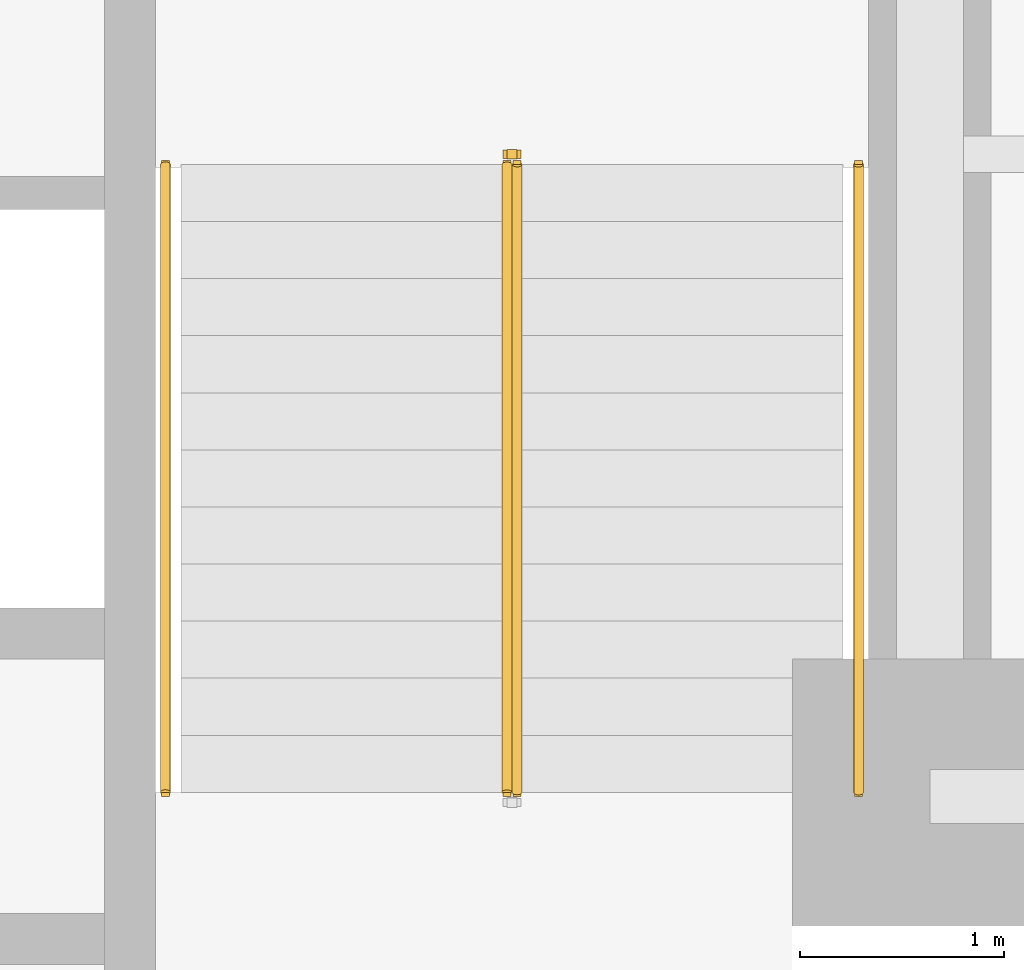
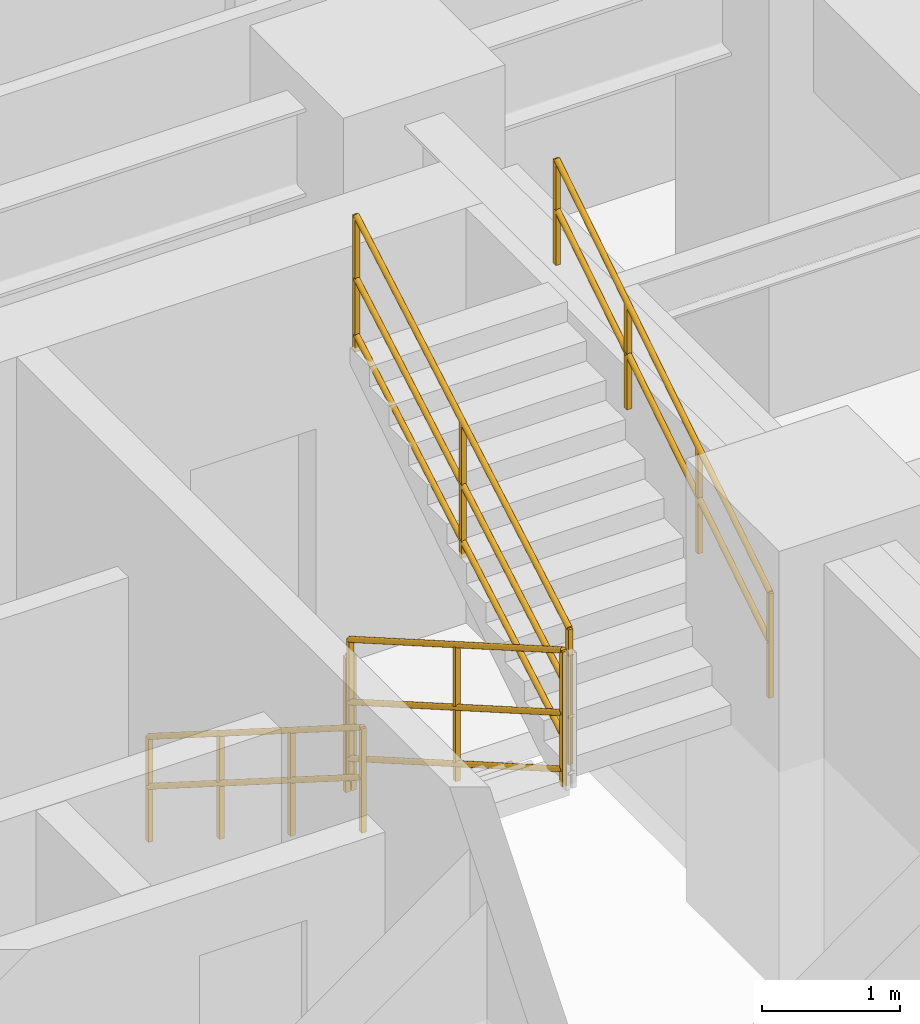
# One storey, part 8 of 9: 5 railings.
"""IFC4 building model written with IfcOpenShell, lengths in metres."""

from ifc_helpers import new_model, entity, si_unit, converted_unit, direction, frame, origin_with_axes, origin_2d_with_axis, place, context, subcontext, project, spatial, rectangle, circle, extrude, material, type_object, element, save


model = new_model("IFC4")

# Units and contexts
model_context = context("Model", 3, precision=1e-05, world=origin_with_axes(), true_north=direction((0.0, 1.0)))
body_context = subcontext(model_context, "Body", "Model", "MODEL_VIEW")
ifc_project = project(units=[si_unit("LENGTHUNIT", "METRE"), si_unit("AREAUNIT", "SQUARE_METRE"), si_unit("VOLUMEUNIT", "CUBIC_METRE"), converted_unit("PLANEANGLEUNIT", "DEGREE", entity("IfcPlaneAngleMeasure", 0.017453292519943295), si_unit("PLANEANGLEUNIT", "RADIAN"), dimensions=[0, 0, 0, 0, 0, 0, 0]), si_unit("MASSUNIT", "GRAM", prefix="KILO"), si_unit("THERMODYNAMICTEMPERATUREUNIT", "KELVIN")], contexts=[model_context])

# Site, building, storey
site_placement = place(None, origin_with_axes())
site = spatial("IfcSite", under=ifc_project, at=site_placement, CompositionType="ELEMENT")
building_placement = place(site_placement, origin_with_axes())
building = spatial("IfcBuilding", under=site, at=building_placement, Name="Varnlund Millrace Tower", CompositionType="ELEMENT")
storey_placement = place(building_placement, frame((0.0, 0.0, 56.1), z_axis=(0.0, 0.0, 1.0), x_axis=(1.0, 0.0, 0.0)))
storey = spatial("IfcBuildingStorey", under=building, at=storey_placement, Name="L13", CompositionType="ELEMENT", Elevation=56.1)

# Railings
ifc_material_1 = material(Name="Painted steel stair well balustrade guard", Category="steel")
railing_type_1 = type_object("IfcRailingType", Name="Type-StairGuard-1150", PredefinedType="GUARDRAIL", material=ifc_material_1)
railing_1_placement = place(storey_placement, frame((0.0, 0.0, -56.1), z_axis=(0.0, 0.0, 1.0), x_axis=(1.0, 0.0, 0.0)))
element("IfcRailing", 1, at=railing_1_placement, inside=storey, type_object=railing_type_1, Name="Type-StairGuard-1150", PredefinedType="GUARDRAIL", context=body_context, shape_type="SweptSolid", body=[
    extrude(circle(Radius=0.024, at=origin_2d_with_axis()), frame((45.975, 21.1, 57.427273), z_axis=(0.0, -0.866696, 0.498836), x_axis=(1.0, 0.0, 0.0)), (0.0, 0.0, 1.0), 3.553725),
    extrude(circle(Radius=0.024, at=origin_2d_with_axis()), frame((45.975, 21.1, 56.377273), z_axis=(0.0, -0.866696, 0.498836), x_axis=(1.0, 0.0, 0.0)), (0.0, 0.0, 1.0), 3.553725),
    extrude(circle(Radius=0.024, at=origin_2d_with_axis()), frame((45.975, 21.1, 56.875273), z_axis=(0.0, -0.866696, 0.498836), x_axis=(1.0, 0.0, 0.0)), (0.0, 0.0, 1.0), 3.553725),
    extrude(rectangle(XDim=0.04, YDim=0.04, at=origin_2d_with_axis()), frame((45.975, 21.1, 56.237273), z_axis=(0.0, 0.0, 1.0), x_axis=(1.0, 0.0, 0.0)), (0.0, 0.0, 1.0), 1.19),
    extrude(rectangle(XDim=0.04, YDim=0.04, at=origin_2d_with_axis()), frame((45.975, 19.56, 57.123636), z_axis=(0.0, 0.0, 1.0), x_axis=(1.0, 0.0, 0.0)), (0.0, 0.0, 1.0), 1.19),
    extrude(rectangle(XDim=0.04, YDim=0.04, at=origin_2d_with_axis()), frame((45.975, 18.02, 58.01), z_axis=(0.0, 0.0, 1.0), x_axis=(1.0, 0.0, 0.0)), (0.0, 0.0, 1.0), 1.19),
])
railing_2_placement = place(storey_placement, frame((0.0, 0.0, -56.1), z_axis=(0.0, 0.0, 1.0), x_axis=(1.0, 0.0, 0.0)))
element("IfcRailing", 2, at=railing_2_placement, inside=storey, type_object=railing_type_1, Name="Type-StairGuard-1150", PredefinedType="GUARDRAIL", context=body_context, shape_type="SweptSolid", body=[
    extrude(circle(Radius=0.024, at=origin_2d_with_axis()), frame((46.025, 18.02, 59.377273), z_axis=(0.0, 0.866696, 0.498836), x_axis=(-1.0, 0.0, 0.0)), (0.0, 0.0, 1.0), 3.553725),
    extrude(circle(Radius=0.024, at=origin_2d_with_axis()), frame((46.025, 18.02, 58.327273), z_axis=(0.0, 0.866696, 0.498836), x_axis=(-1.0, 0.0, 0.0)), (0.0, 0.0, 1.0), 3.553725),
    extrude(circle(Radius=0.024, at=origin_2d_with_axis()), frame((46.025, 18.02, 58.825273), z_axis=(0.0, 0.866696, 0.498836), x_axis=(-1.0, 0.0, 0.0)), (0.0, 0.0, 1.0), 3.553725),
    extrude(rectangle(XDim=0.04, YDim=0.04, at=origin_2d_with_axis()), frame((46.025, 18.02, 58.187273), z_axis=(0.0, 0.0, 1.0), x_axis=(1.0, 0.0, 0.0)), (0.0, 0.0, 1.0), 1.19),
    extrude(rectangle(XDim=0.04, YDim=0.04, at=origin_2d_with_axis()), frame((46.025, 19.56, 59.073636), z_axis=(0.0, 0.0, 1.0), x_axis=(1.0, 0.0, 0.0)), (0.0, 0.0, 1.0), 1.19),
    extrude(rectangle(XDim=0.04, YDim=0.04, at=origin_2d_with_axis()), frame((46.025, 21.1, 59.96), z_axis=(0.0, 0.0, 1.0), x_axis=(1.0, 0.0, 0.0)), (0.0, 0.0, 1.0), 1.19),
])
railing_3_placement = place(storey_placement, frame((0.0, 0.0, -56.1), z_axis=(0.0, 0.0, 1.0), x_axis=(1.0, 0.0, 0.0)))
element("IfcRailing", 3, at=railing_3_placement, inside=storey, type_object=railing_type_1, Name="Type-StairGuard-1150", PredefinedType="GUARDRAIL", context=body_context, shape_type="SweptSolid", body=[
    extrude(circle(Radius=0.024, at=origin_2d_with_axis()), frame((46.025, 21.15, 57.25), z_axis=(-1.0, 0.0, 0.0), x_axis=(0.0, -1.0, 0.0)), (0.0, 0.0, 1.0), 0.05),
    extrude(circle(Radius=0.024, at=origin_2d_with_axis()), frame((46.025, 21.15, 56.2), z_axis=(-1.0, 0.0, 0.0), x_axis=(0.0, -1.0, 0.0)), (0.0, 0.0, 1.0), 0.05),
    extrude(circle(Radius=0.024, at=origin_2d_with_axis()), frame((46.025, 21.15, 56.698), z_axis=(-1.0, 0.0, 0.0), x_axis=(0.0, -1.0, 0.0)), (0.0, 0.0, 1.0), 0.05),
    extrude(rectangle(XDim=0.04, YDim=0.04, at=origin_2d_with_axis()), frame((46.025, 21.15, 56.06), z_axis=(0.0, 0.0, 1.0), x_axis=(1.0, 0.0, 0.0)), (0.0, 0.0, 1.0), 1.19),
    extrude(rectangle(XDim=0.04, YDim=0.04, at=origin_2d_with_axis()), frame((45.975, 21.15, 56.06), z_axis=(0.0, 0.0, 1.0), x_axis=(1.0, 0.0, 0.0)), (0.0, 0.0, 1.0), 1.19),
])
ifc_material_2 = material(Name="Brushed architectural bronze stair handrail", Category="aluminium")
railing_type_2 = type_object("IfcRailingType", Name="Type-StairHandrail-900", PredefinedType="HANDRAIL", material=ifc_material_2)
railing_4_placement = place(storey_placement, frame((0.0, 0.0, -56.1), z_axis=(0.0, 0.0, 1.0), x_axis=(1.0, 0.0, 0.0)))
element("IfcRailing", 4, at=railing_4_placement, inside=storey, type_object=railing_type_2, Name="Type-StairHandrail-900", PredefinedType="HANDRAIL", context=body_context, shape_type="SweptSolid", body=[
    extrude(circle(Radius=0.024, at=origin_2d_with_axis()), frame((44.3, 21.1, 57.156995), z_axis=(0.0, -0.844902, 0.534922), x_axis=(1.0, 0.0, 0.0)), (0.0, 0.0, 1.0), 3.645394),
    extrude(circle(Radius=0.024, at=origin_2d_with_axis()), frame((44.3, 21.1, 56.717134), z_axis=(0.0, -0.844902, 0.534922), x_axis=(1.0, 0.0, 0.0)), (0.0, 0.0, 1.0), 3.645394),
    extrude(rectangle(XDim=0.04, YDim=0.04, at=origin_2d_with_axis()), frame((44.3, 21.1, 56.237273), z_axis=(0.0, 0.0, 1.0), x_axis=(1.0, 0.0, 0.0)), (0.0, 0.0, 1.0), 0.919722),
    extrude(rectangle(XDim=0.04, YDim=0.04, at=origin_2d_with_axis()), frame((44.3, 20.073333, 56.887273), z_axis=(0.0, 0.0, 1.0), x_axis=(1.0, 0.0, 0.0)), (0.0, 0.0, 1.0), 0.919722),
    extrude(rectangle(XDim=0.04, YDim=0.04, at=origin_2d_with_axis()), frame((44.3, 19.046667, 57.537273), z_axis=(0.0, 0.0, 1.0), x_axis=(1.0, 0.0, 0.0)), (0.0, 0.0, 1.0), 0.919722),
    extrude(rectangle(XDim=0.04, YDim=0.04, at=origin_2d_with_axis()), frame((44.3, 18.02, 58.187273), z_axis=(0.0, 0.0, 1.0), x_axis=(1.0, 0.0, 0.0)), (0.0, 0.0, 1.0), 0.919722),
])
railing_5_placement = place(storey_placement, frame((0.0, 0.0, -56.1), z_axis=(0.0, 0.0, 1.0), x_axis=(1.0, 0.0, 0.0)))
element("IfcRailing", 5, at=railing_5_placement, inside=storey, type_object=railing_type_2, Name="Type-StairHandrail-900", PredefinedType="HANDRAIL", context=body_context, shape_type="SweptSolid", body=[
    extrude(circle(Radius=0.024, at=origin_2d_with_axis()), frame((47.7, 18.02, 59.106995), z_axis=(0.0, 0.844902, 0.534922), x_axis=(-1.0, 0.0, 0.0)), (0.0, 0.0, 1.0), 3.645394),
    extrude(circle(Radius=0.024, at=origin_2d_with_axis()), frame((47.7, 18.02, 58.667134), z_axis=(0.0, 0.844902, 0.534922), x_axis=(-1.0, 0.0, 0.0)), (0.0, 0.0, 1.0), 3.645394),
    extrude(rectangle(XDim=0.04, YDim=0.04, at=origin_2d_with_axis()), frame((47.7, 18.02, 58.187273), z_axis=(0.0, 0.0, 1.0), x_axis=(1.0, 0.0, 0.0)), (0.0, 0.0, 1.0), 0.919722),
    extrude(rectangle(XDim=0.04, YDim=0.04, at=origin_2d_with_axis()), frame((47.7, 19.046667, 58.837273), z_axis=(0.0, 0.0, 1.0), x_axis=(1.0, 0.0, 0.0)), (0.0, 0.0, 1.0), 0.919722),
    extrude(rectangle(XDim=0.04, YDim=0.04, at=origin_2d_with_axis()), frame((47.7, 20.073333, 59.487273), z_axis=(0.0, 0.0, 1.0), x_axis=(1.0, 0.0, 0.0)), (0.0, 0.0, 1.0), 0.919722),
    extrude(rectangle(XDim=0.04, YDim=0.04, at=origin_2d_with_axis()), frame((47.7, 21.1, 60.137273), z_axis=(0.0, 0.0, 1.0), x_axis=(1.0, 0.0, 0.0)), (0.0, 0.0, 1.0), 0.919722),
])

save(model, "model.ifc")
